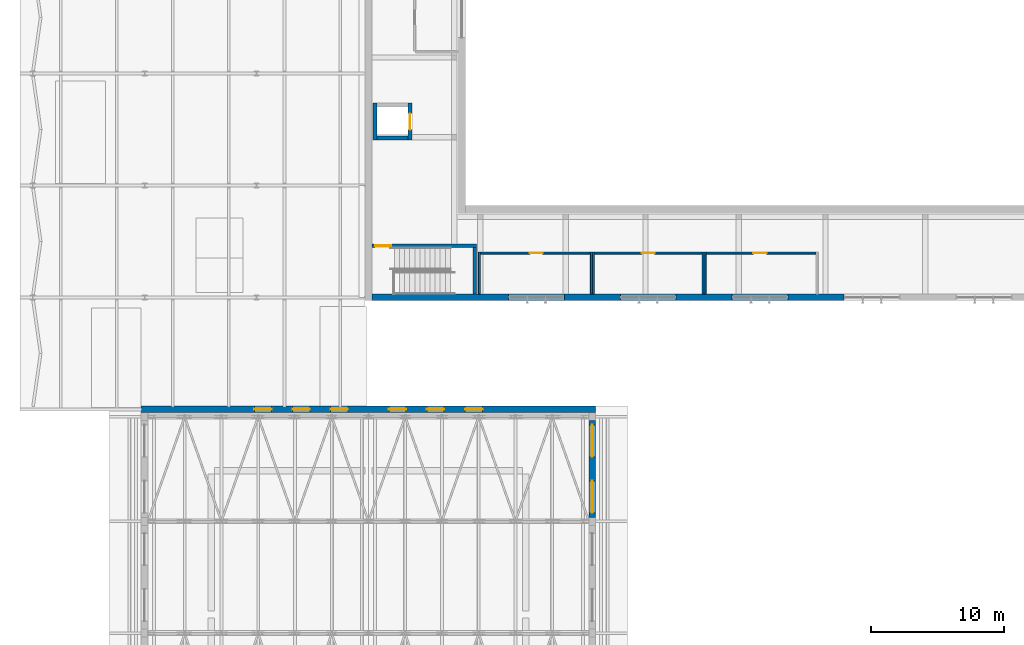
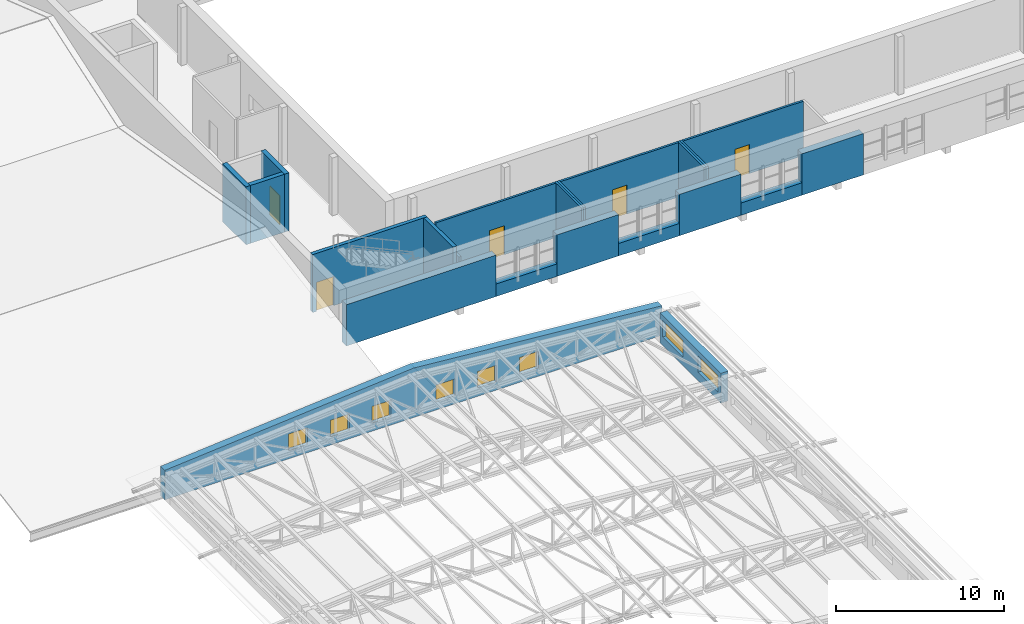
# One storey, part 39 of 60: 22 walls, 8 windows, 5 doors, 13 openings.
"""IFC4 building model written with IfcOpenShell, lengths in metres."""

from ifc_helpers import new_model, si_unit, direction, frame, frame_2d, origin, place, context, subcontext, project, spatial, polyline, rectangle, outline, extrude, material, layer, layer_set, type_object, element, fill, save


model = new_model("IFC4")

# Units and contexts
model_context = context("Model", 3, precision=1e-05, world=origin(), true_north=direction((0.0, 1.0)))
body_context = subcontext(model_context, "Body", "Model", "MODEL_VIEW")
ifc_project = project(units=[si_unit("LENGTHUNIT", "METRE"), si_unit("AREAUNIT", "SQUARE_METRE"), si_unit("VOLUMEUNIT", "CUBIC_METRE"), si_unit("PLANEANGLEUNIT", "RADIAN"), si_unit("MASSUNIT", "GRAM", prefix="KILO")], contexts=[model_context])

# Site, building, storey
site_placement = place(None, origin())
site = spatial("IfcSite", under=ifc_project, at=site_placement, CompositionType="ELEMENT")
building_placement = place(site_placement, origin())
building = spatial("IfcBuilding", under=site, at=building_placement, Name="Ljudholm Concert House", CompositionType="ELEMENT")
storey_placement = place(building_placement, frame((0.0, 0.0, 15.0)))
storey = spatial("IfcBuildingStorey", under=building, at=storey_placement, Name="L03", CompositionType="ELEMENT", Elevation=15.0)

# Wall, opening, door
ifc_material_1 = material(Name="Gypsum board on steel studs", Category="steel")
ifc_layer_1 = layer(ifc_material_1, 0.14990234375)
ifc_layer_set_1 = layer_set([ifc_layer_1], Name="Gypsum board on steel studs")
wall_type_1 = type_object("IfcWallType", Name="GYPSUM PARTITION 150", PredefinedType="PARTITIONING", material=ifc_layer_set_1)
wall_1_placement = place(storey_placement, frame((37.60009765625, 57.72509765625, 0.0), z_axis=(0.0, 0.0, 1.0), x_axis=(1.0, 0.0, 0.0)))
wall_1 = element("IfcWall", 1, at=wall_1_placement, inside=storey, type_object=wall_type_1, Name="Women's WC partition", PredefinedType="PARTITIONING", context=body_context, shape_type="SweptSolid", body=[
    extrude(rectangle(XDim=8.39990234375, YDim=0.14990234375, at=frame_2d((4.199951171875, 0.0))), origin(), (0.0, 0.0, 1.0), 3.949951171875),
])
opening_1_placement = place(wall_1_placement, frame((3.699951171875, 0.0, 0.0)))
opening_1 = element("IfcOpeningElement", 2, at=opening_1_placement, cuts=wall_1, Name="Opening D-H03-003", PredefinedType="OPENING", context=body_context, shape_type="SweptSolid", body=[
    extrude(rectangle(XDim=1.0, YDim=2.10009765625, at=frame_2d((0.5, 1.050048828125))), frame((0.0, 0.0849609375, 0.0), z_axis=(0.0, -1.0, 0.0), x_axis=(1.0, 0.0, 0.0)), (0.0, 0.0, 1.0), 0.169921875),
])
ifc_material_2 = material(Name="Hollow metal door in steel frame", Category="steel")
door_type_1 = type_object("IfcDoorType", Name="SWING DOOR 1000x2100", OperationType="SINGLE_SWING_LEFT", PredefinedType="DOOR", material=ifc_material_2)
door_1_placement = place(opening_1_placement, frame((1.0, 0.0, 0.0), z_axis=(0.0, 0.0, 1.0), x_axis=(-1.0, 0.0, 0.0)))
door_1 = element("IfcDoor", 3, at=door_1_placement, inside=storey, type_object=door_type_1, Name="Women's WC door", OperationType="SINGLE_SWING_RIGHT", OverallHeight=2.10009765625, OverallWidth=1.0, PredefinedType="DOOR", context=body_context, shape_type="SweptSolid", body=[
    extrude(rectangle(XDim=1.0, YDim=2.10009765625, at=frame_2d((0.5, 1.050048828125))), frame((0.0, 0.02490234375, 0.0), z_axis=(0.0, -1.0, 0.0), x_axis=(1.0, 0.0, 0.0)), (0.0, 0.0, 1.0), 0.050048828125),
])
fill(opening_1, door_1)

# Walls
wall_2_placement = place(storey_placement, frame((37.52490234375, 54.64990234375, 0.0), z_axis=(0.0, 0.0, 1.0), x_axis=(0.0, 1.0, 0.0)))
element("IfcWall", 4, at=wall_2_placement, inside=storey, type_object=wall_type_1, Name="Women's WC partition", PredefinedType="PARTITIONING", context=body_context, shape_type="SweptSolid", body=[
    extrude(rectangle(XDim=3.150146484375, YDim=0.14990234375, at=frame_2d((1.5751953125, 0.0))), origin(), (0.0, 0.0, 1.0), 3.35009765625),
])
wall_3_placement = place(storey_placement, frame((46.074951171875, 54.64990234375, 0.0), z_axis=(0.0, 0.0, 1.0), x_axis=(0.0, 1.0, 0.0)))
element("IfcWall", 5, at=wall_3_placement, inside=storey, type_object=wall_type_1, Name="Women's WC partition", PredefinedType="PARTITIONING", context=body_context, shape_type="SweptSolid", body=[
    extrude(rectangle(XDim=3.150146484375, YDim=0.14990234375, at=frame_2d((1.5751953125, 0.0))), origin(), (0.0, 0.0, 1.0), 3.949951171875),
])

# Wall, opening, door
wall_4_placement = place(storey_placement, frame((46.0, 57.72509765625, 0.0), z_axis=(0.0, 0.0, 1.0), x_axis=(1.0, 0.0, 0.0)))
wall_4 = element("IfcWall", 6, at=wall_4_placement, inside=storey, type_object=wall_type_1, Name="Men's WC partition", PredefinedType="PARTITIONING", context=body_context, shape_type="SweptSolid", body=[
    extrude(rectangle(XDim=8.39990234375, YDim=0.14990234375, at=frame_2d((4.199951171875, 0.0))), origin(), (0.0, 0.0, 1.0), 3.949951171875),
])
opening_2_placement = place(wall_4_placement, frame((3.699951171875, 0.0, 0.0)))
opening_2 = element("IfcOpeningElement", 7, at=opening_2_placement, cuts=wall_4, Name="Opening D-H03-004", PredefinedType="OPENING", context=body_context, shape_type="SweptSolid", body=[
    extrude(rectangle(XDim=1.0, YDim=2.10009765625, at=frame_2d((0.5, 1.050048828125))), frame((0.0, 0.0849609375, 0.0), z_axis=(0.0, -1.0, 0.0), x_axis=(1.0, 0.0, 0.0)), (0.0, 0.0, 1.0), 0.169921875),
])
door_2_placement = place(opening_2_placement, frame((1.0, 0.0, 0.0), z_axis=(0.0, 0.0, 1.0), x_axis=(-1.0, 0.0, 0.0)))
door_2 = element("IfcDoor", 8, at=door_2_placement, inside=storey, type_object=door_type_1, Name="Men's WC door", OperationType="SINGLE_SWING_LEFT", OverallHeight=2.10009765625, OverallWidth=1.0, PredefinedType="DOOR", context=body_context, shape_type="SweptSolid", body=[
    extrude(rectangle(XDim=1.0, YDim=2.10009765625, at=frame_2d((0.5, 1.050048828125))), frame((0.0, 0.02490234375, 0.0), z_axis=(0.0, -1.0, 0.0), x_axis=(1.0, 0.0, 0.0)), (0.0, 0.0, 1.0), 0.050048828125),
])
fill(opening_2, door_2)

# Walls
for number, where, z_axis, x_axis, name in (
    (9, (45.925048828125, 54.64990234375, 0.0), (0.0, 0.0, 1.0), (0.0, 1.0, 0.0), "Men's WC partition"),
    (10, (54.47509765625, 54.64990234375, 0.0), (0.0, 0.0, 1.0), (0.0, 1.0, 0.0), "Men's WC partition"),
):
    element("IfcWall", number, at=place(storey_placement, frame(where, z_axis=z_axis, x_axis=x_axis)), inside=storey, type_object=wall_type_1, Name=name, PredefinedType="PARTITIONING", context=body_context, shape_type="SweptSolid", body=[
        extrude(rectangle(XDim=3.150146484375, YDim=0.14990234375, at=frame_2d((1.5751953125, 0.0))), origin(), (0.0, 0.0, 1.0), 3.949951171875),
    ])

# Wall, opening, door
wall_5_placement = place(storey_placement, frame((54.39990234375, 57.72509765625, 0.0), z_axis=(0.0, 0.0, 1.0), x_axis=(1.0, 0.0, 0.0)))
wall_5 = element("IfcWall", 11, at=wall_5_placement, inside=storey, type_object=wall_type_1, Name="Accessible WC partition", PredefinedType="PARTITIONING", context=body_context, shape_type="SweptSolid", body=[
    extrude(rectangle(XDim=8.400146484375, YDim=0.14990234375, at=frame_2d((4.2001953125, 0.0))), origin(), (0.0, 0.0, 1.0), 3.949951171875),
])
opening_3_placement = place(wall_5_placement, frame((3.699951171875, 0.0, 0.0)))
opening_3 = element("IfcOpeningElement", 12, at=opening_3_placement, cuts=wall_5, Name="Opening D-H03-005", PredefinedType="OPENING", context=body_context, shape_type="SweptSolid", body=[
    extrude(rectangle(XDim=1.0, YDim=2.10009765625, at=frame_2d((0.5, 1.050048828125))), frame((0.0, 0.0849609375, 0.0), z_axis=(0.0, -1.0, 0.0), x_axis=(1.0, 0.0, 0.0)), (0.0, 0.0, 1.0), 0.169921875),
])
door_3_placement = place(opening_3_placement, frame((1.0, 0.0, 0.0), z_axis=(0.0, 0.0, 1.0), x_axis=(-1.0, 0.0, 0.0)))
door_3 = element("IfcDoor", 13, at=door_3_placement, inside=storey, type_object=door_type_1, Name="Accessible WC door", OperationType="SINGLE_SWING_RIGHT", OverallHeight=2.10009765625, OverallWidth=1.0, PredefinedType="DOOR", context=body_context, shape_type="SweptSolid", body=[
    extrude(rectangle(XDim=1.0, YDim=2.10009765625, at=frame_2d((0.5, 1.050048828125))), frame((0.0, 0.02490234375, 0.0), z_axis=(0.0, -1.0, 0.0), x_axis=(1.0, 0.0, 0.0)), (0.0, 0.0, 1.0), 0.050048828125),
])
fill(opening_3, door_3)

# Wall
wall_6_placement = place(storey_placement, frame((54.324951171875, 54.64990234375, 0.0), z_axis=(0.0, 0.0, 1.0), x_axis=(0.0, 1.0, 0.0)))
element("IfcWall", 14, at=wall_6_placement, inside=storey, type_object=wall_type_1, Name="Accessible WC partition", PredefinedType="PARTITIONING", context=body_context, shape_type="SweptSolid", body=[
    extrude(rectangle(XDim=3.150146484375, YDim=0.14990234375, at=frame_2d((1.5751953125, 0.0))), origin(), (0.0, 0.0, 1.0), 3.949951171875),
])

# Wall, opening, door
ifc_material_3 = material(Name="Concrete 6,500 psi", Category="concrete")
ifc_layer_2 = layer(ifc_material_3, 0.25)
ifc_layer_set_2 = layer_set([ifc_layer_2], Name="Concrete 6,500 psi")
wall_type_2 = type_object("IfcWallType", Name="RC WALL 250", PredefinedType="SOLIDWALL", material=ifc_layer_set_2)
wall_7_placement = place(storey_placement, frame((29.449951171875, 58.27490234375, 0.0), z_axis=(0.0, 0.0, 1.0), x_axis=(1.0, 0.0, 0.0)))
wall_7 = element("IfcWall", 15, at=wall_7_placement, inside=storey, type_object=wall_type_2, Name="Stair enclosure wall EH1", PredefinedType="SOLIDWALL", context=body_context, shape_type="SweptSolid", body=[
    extrude(rectangle(XDim=7.85009765625, YDim=0.25, at=frame_2d((3.925048828125, 0.0))), origin(), (0.0, 0.0, 1.0), 4.199951171875),
])
opening_4_placement = place(wall_7_placement, frame((0.25, 0.0, 0.0)))
opening_4 = element("IfcOpeningElement", 16, at=opening_4_placement, cuts=wall_7, Name="Opening D-H03-007", PredefinedType="OPENING", context=body_context, shape_type="SweptSolid", body=[
    extrude(rectangle(XDim=1.199951171875, YDim=2.10009765625, at=frame_2d((0.60009765625, 1.050048828125))), frame((0.0, 0.135009765625, 0.0), z_axis=(0.0, -1.0, 0.0), x_axis=(1.0, 0.0, 0.0)), (0.0, 0.0, 1.0), 0.27001953125),
])
ifc_material_4 = material(Name="Hollow metal door in steel frame", Category="steel")
door_type_2 = type_object("IfcDoorType", Name="SWING DOOR 1200x2100", OperationType="SINGLE_SWING_LEFT", PredefinedType="DOOR", material=ifc_material_4)
door_4_placement = place(opening_4_placement, frame((1.199951171875, 0.0, 0.0), z_axis=(0.0, 0.0, 1.0), x_axis=(-1.0, 0.0, 0.0)))
door_4 = element("IfcDoor", 17, at=door_4_placement, inside=storey, type_object=door_type_2, Name="Exit stair EH1 door", OperationType="SINGLE_SWING_RIGHT", OverallHeight=2.10009765625, OverallWidth=1.199951171875, PredefinedType="DOOR", context=body_context, shape_type="SweptSolid", body=[
    extrude(rectangle(XDim=1.199951171875, YDim=2.10009765625, at=frame_2d((0.60009765625, 1.050048828125))), frame((0.0, 0.02490234375, 0.0), z_axis=(0.0, -1.0, 0.0), x_axis=(1.0, 0.0, 0.0)), (0.0, 0.0, 1.0), 0.050048828125),
])
fill(opening_4, door_4)

# Walls
wall_8_placement = place(storey_placement, frame((37.175048828125, 54.64990234375, 0.0), z_axis=(0.0, 0.0, 1.0), x_axis=(0.0, 1.0, 0.0)))
element("IfcWall", 18, at=wall_8_placement, inside=storey, type_object=wall_type_2, Name="Stair enclosure wall EH1", PredefinedType="SOLIDWALL", context=body_context, shape_type="SweptSolid", body=[
    extrude(rectangle(XDim=3.5, YDim=0.25, at=frame_2d((1.75, 0.0))), origin(), (0.0, 0.0, 1.0), 4.199951171875),
])
ifc_material_5 = material(Name="Concrete 6,500 psi", Category="concrete")
ifc_layer_3 = layer(ifc_material_5, 0.300048828125)
ifc_layer_set_3 = layer_set([ifc_layer_3], Name="Concrete 6,500 psi")
wall_type_3 = type_object("IfcWallType", Name="RC WALL 300", PredefinedType="SOLIDWALL", material=ifc_layer_set_3)
wall_9_placement = place(storey_placement, frame((29.675048828125, 66.199951171875, 0.0), z_axis=(0.0, 0.0, 1.0), x_axis=(0.0, 1.0, 0.0)))
element("IfcWall", 19, at=wall_9_placement, inside=storey, type_object=wall_type_3, Name="Lift shaft wall", PredefinedType="SOLIDWALL", context=body_context, shape_type="SweptSolid", body=[
    extrude(rectangle(XDim=2.800048828125, YDim=0.300048828125, at=frame_2d((1.39990234375, 0.0))), origin(), (0.0, 0.0, 1.0), 4.199951171875),
])

# Wall, opening, door
wall_10_placement = place(storey_placement, frame((32.324951171875, 66.199951171875, 0.0), z_axis=(0.0, 0.0, 1.0), x_axis=(0.0, 1.0, 0.0)))
wall_10 = element("IfcWall", 20, at=wall_10_placement, inside=storey, type_object=wall_type_3, Name="Lift shaft wall", PredefinedType="SOLIDWALL", context=body_context, shape_type="SweptSolid", body=[
    extrude(rectangle(XDim=2.800048828125, YDim=0.300048828125, at=frame_2d((1.39990234375, 0.0))), origin(), (0.0, 0.0, 1.0), 4.199951171875),
])
opening_5_placement = place(wall_10_placement, frame((0.800048828125, 0.0, 0.0)))
opening_5 = element("IfcOpeningElement", 21, at=opening_5_placement, cuts=wall_10, Name="Opening LD-H03-001", PredefinedType="OPENING", context=body_context, shape_type="SweptSolid", body=[
    extrude(rectangle(XDim=1.199951171875, YDim=2.10009765625, at=frame_2d((0.60009765625, 1.050048828125))), frame((0.0, 0.159912109375, 0.0), z_axis=(0.0, -1.0, 0.0), x_axis=(1.0, 0.0, 0.0)), (0.0, 0.0, 1.0), 0.320068359375),
])
ifc_material_6 = material(Name="Stainless steel sliding landing door, fire-rated", Category="steel")
door_type_3 = type_object("IfcDoorType", Name="LIFT DOOR 1200x2100", OperationType="SLIDING_TO_LEFT", PredefinedType="DOOR", material=ifc_material_6)
door_5_placement = place(opening_5_placement, origin())
door_5 = element("IfcDoor", 22, at=door_5_placement, inside=storey, type_object=door_type_3, Name="Lift landing door", OperationType="SLIDING_TO_LEFT", OverallHeight=2.10009765625, OverallWidth=1.199951171875, PredefinedType="DOOR", context=body_context, shape_type="SweptSolid", body=[
    extrude(rectangle(XDim=1.199951171875, YDim=2.10009765625, at=frame_2d((0.60009765625, 1.050048828125))), frame((0.0, 0.02490234375, 0.0), z_axis=(0.0, -1.0, 0.0), x_axis=(1.0, 0.0, 0.0)), (0.0, 0.0, 1.0), 0.050048828125),
])
fill(opening_5, door_5)

# Walls
wall_11_placement = place(storey_placement, frame((29.824951171875, 66.35009765625, 0.0), z_axis=(0.0, 0.0, 1.0), x_axis=(1.0, 0.0, 0.0)))
element("IfcWall", 23, at=wall_11_placement, inside=storey, type_object=wall_type_3, Name="Lift shaft wall", PredefinedType="SOLIDWALL", context=body_context, shape_type="SweptSolid", body=[
    extrude(rectangle(XDim=2.35009765625, YDim=0.300048828125, at=frame_2d((1.175048828125, 0.0))), origin(), (0.0, 0.0, 1.0), 4.199951171875),
])
ifc_material_7 = material(Name="Concrete 6,500 psi", Category="concrete")
ifc_layer_4 = layer(ifc_material_7, 0.5)
ifc_layer_set_4 = layer_set([ifc_layer_4], Name="Concrete 6,500 psi")
wall_type_4 = type_object("IfcWallType", Name="RC WALL 500", PredefinedType="SOLIDWALL", material=ifc_layer_set_4)
wall_12_placement = place(storey_placement, frame((29.449951171875, 54.39990234375, 0.0), z_axis=(0.0, 0.0, 1.0), x_axis=(1.0, 0.0, 0.0)))
element("IfcWall", 24, at=wall_12_placement, inside=storey, type_object=wall_type_4, Name="Outer wall S", PredefinedType="SOLIDWALL", context=body_context, shape_type="SweptSolid", body=[
    extrude(rectangle(XDim=10.25, YDim=0.5, at=frame_2d((5.125, 0.0))), origin(), (0.0, 0.0, 1.0), 3.0),
])
wall_13_placement = place(storey_placement, frame((43.89990234375, 54.39990234375, 0.0), z_axis=(0.0, 0.0, 1.0), x_axis=(1.0, 0.0, 0.0)))
element("IfcWall", 25, at=wall_13_placement, inside=storey, type_object=wall_type_4, Name="Outer wall S", PredefinedType="SOLIDWALL", context=body_context, shape_type="SweptSolid", body=[
    extrude(rectangle(XDim=4.2001953125, YDim=0.5, at=frame_2d((2.10009765625, 0.0))), origin(), (0.0, 0.0, 1.0), 3.0),
])
for number, where, z_axis, x_axis, name in (
    (26, (52.300048828125, 54.39990234375, 0.0), (0.0, 0.0, 1.0), (1.0, 0.0, 0.0), "Outer wall S"),
    (27, (60.699951171875, 54.39990234375, 0.0), (0.0, 0.0, 1.0), (1.0, 0.0, 0.0), "Outer wall S"),
):
    element("IfcWall", number, at=place(storey_placement, frame(where, z_axis=z_axis, x_axis=x_axis)), inside=storey, type_object=wall_type_4, Name=name, PredefinedType="SOLIDWALL", context=body_context, shape_type="SweptSolid", body=[
        extrude(rectangle(XDim=4.199951171875, YDim=0.5, at=frame_2d((2.10009765625, 0.0))), origin(), (0.0, 0.0, 1.0), 3.0),
    ])
for number, where, z_axis, x_axis, name in (
    (28, (39.699951171875, 54.39990234375, 0.0), (0.0, 0.0, 1.0), (1.0, 0.0, 0.0), "Outer wall S"),
    (29, (48.10009765625, 54.39990234375, 0.0), (0.0, 0.0, 1.0), (1.0, 0.0, 0.0), "Outer wall S"),
    (30, (56.5, 54.39990234375, 0.0), (0.0, 0.0, 1.0), (1.0, 0.0, 0.0), "Outer wall S"),
):
    element("IfcWall", number, at=place(storey_placement, frame(where, z_axis=z_axis, x_axis=x_axis)), inside=storey, type_object=wall_type_4, Name=name, PredefinedType="SOLIDWALL", context=body_context, shape_type="SweptSolid", body=[
        extrude(rectangle(XDim=4.199951171875, YDim=0.5, at=frame_2d((2.10009765625, 0.0))), origin(), (0.0, 0.0, 1.0), 0.89990234375),
    ])

# Wall, openings, windows
wall_14_placement = place(storey_placement, frame((46.0, 37.89990234375, 0.0), z_axis=(0.0, 0.0, 1.0), x_axis=(0.0, 1.0, 0.0)))
wall_14 = element("IfcWall", 31, at=wall_14_placement, inside=storey, type_object=wall_type_4, Name="Outer wall E", PredefinedType="SOLIDWALL", context=body_context, shape_type="SweptSolid", body=[
    extrude(rectangle(XDim=7.25, YDim=0.5, at=frame_2d((3.625, 0.0))), origin(), (0.0, 0.0, 1.0), 2.1611328125),
])
opening_6_placement = place(wall_14_placement, frame((0.324951171875, 0.0, 0.60009765625)))
opening_6 = element("IfcOpeningElement", 32, at=opening_6_placement, cuts=wall_14, Name="Opening X-C03-019", PredefinedType="OPENING", context=body_context, shape_type="SweptSolid", body=[
    extrude(rectangle(XDim=2.39990234375, YDim=1.199951171875, at=frame_2d((1.199951171875, 0.60009765625))), frame((0.0, 0.260009765625, 0.0), z_axis=(0.0, -1.0, 0.0), x_axis=(1.0, 0.0, 0.0)), (0.0, 0.0, 1.0), 0.52001953125),
])
opening_7_placement = place(wall_14_placement, frame((4.52490234375, 0.0, 0.60009765625)))
opening_7 = element("IfcOpeningElement", 33, at=opening_7_placement, cuts=wall_14, Name="Opening X-C03-020", PredefinedType="OPENING", context=body_context, shape_type="SweptSolid", body=[
    extrude(rectangle(XDim=2.39990234375, YDim=1.199951171875, at=frame_2d((1.199951171875, 0.60009765625))), frame((0.0, 0.260009765625, 0.0), z_axis=(0.0, -1.0, 0.0), x_axis=(1.0, 0.0, 0.0)), (0.0, 0.0, 1.0), 0.52001953125),
])
ifc_material_8 = material(Name="Aluminium frame, impact glazing", Category="aluminium")
window_type_1 = type_object("IfcWindowType", Name="FIXED WINDOW 2400x1200", PartitioningType="SINGLE_PANEL", PredefinedType="WINDOW", material=ifc_material_8)
window_1_placement = place(opening_6_placement, origin())
window_1 = element("IfcWindow", 34, at=window_1_placement, inside=storey, type_object=window_type_1, Name="Clerestory window", OverallHeight=1.199951171875, OverallWidth=2.39990234375, PartitioningType="SINGLE_PANEL", PredefinedType="WINDOW", context=body_context, shape_type="SweptSolid", body=[
    extrude(rectangle(XDim=2.39990234375, YDim=1.199951171875, at=frame_2d((1.199951171875, 0.60009765625))), frame((0.0, 0.030029296875, 0.0), z_axis=(0.0, -1.0, 0.0), x_axis=(1.0, 0.0, 0.0)), (0.0, 0.0, 1.0), 0.06005859375),
])
fill(opening_6, window_1)
window_2_placement = place(opening_7_placement, origin())
window_2 = element("IfcWindow", 35, at=window_2_placement, inside=storey, type_object=window_type_1, Name="Clerestory window", OverallHeight=1.199951171875, OverallWidth=2.39990234375, PartitioningType="SINGLE_PANEL", PredefinedType="WINDOW", context=body_context, shape_type="SweptSolid", body=[
    extrude(rectangle(XDim=2.39990234375, YDim=1.199951171875, at=frame_2d((1.199951171875, 0.60009765625))), frame((0.0, 0.030029296875, 0.0), z_axis=(0.0, -1.0, 0.0), x_axis=(1.0, 0.0, 0.0)), (0.0, 0.0, 1.0), 0.06005859375),
])
fill(opening_7, window_2)

wall_15_placement = place(storey_placement, frame((12.14990234375, 46.0, 0.0), z_axis=(0.0, 0.0, 1.0), x_axis=(1.0, 0.0, 0.0)))
wall_15 = element("IfcWall", 36, at=wall_15_placement, inside=storey, type_object=wall_type_4, Name="Gable wall N", PredefinedType="SOLIDWALL", context=body_context, shape_type="SweptSolid", body=[
    extrude(outline(polyline([(0.0, 0.0), (34.10009765625, 0.0), (34.10009765625, 2.14013671875), (17.050048828125, 3.58251953125), (0.0, 2.14013671875), (0.0, 0.0)])), frame((0.0, 0.25, 0.0), z_axis=(0.0, -1.0, 0.0), x_axis=(1.0, 0.0, 0.0)), (0.0, 0.0, 1.0), 0.5),
])
opening_8_placement = place(wall_15_placement, frame((8.485107421875, 0.0, 0.60009765625)))
opening_8 = element("IfcOpeningElement", 37, at=opening_8_placement, cuts=wall_15, Name="Opening X-C03-027", PredefinedType="OPENING", context=body_context, shape_type="SweptSolid", body=[
    extrude(rectangle(XDim=1.300048828125, YDim=1.199951171875, at=frame_2d((0.64990234375, 0.60009765625))), frame((0.0, 0.260009765625, 0.0), z_axis=(0.0, -1.0, 0.0), x_axis=(1.0, 0.0, 0.0)), (0.0, 0.0, 1.0), 0.52001953125),
])
opening_9_placement = place(wall_15_placement, frame((11.363037109375, 0.0, 0.60009765625)))
opening_9 = element("IfcOpeningElement", 38, at=opening_9_placement, cuts=wall_15, Name="Opening X-C03-028", PredefinedType="OPENING", context=body_context, shape_type="SweptSolid", body=[
    extrude(rectangle(XDim=1.300048828125, YDim=1.199951171875, at=frame_2d((0.64990234375, 0.60009765625))), frame((0.0, 0.260009765625, 0.0), z_axis=(0.0, -1.0, 0.0), x_axis=(1.0, 0.0, 0.0)), (0.0, 0.0, 1.0), 0.52001953125),
])
opening_10_placement = place(wall_15_placement, frame((14.216064453125, 0.0, 0.60009765625)))
opening_10 = element("IfcOpeningElement", 39, at=opening_10_placement, cuts=wall_15, Name="Opening X-C03-029", PredefinedType="OPENING", context=body_context, shape_type="SweptSolid", body=[
    extrude(rectangle(XDim=1.300048828125, YDim=1.199951171875, at=frame_2d((0.64990234375, 0.60009765625))), frame((0.0, 0.260009765625, 0.0), z_axis=(0.0, -1.0, 0.0), x_axis=(1.0, 0.0, 0.0)), (0.0, 0.0, 1.0), 0.52001953125),
])
opening_11_placement = place(wall_15_placement, frame((18.583984375, 0.0, 0.60009765625)))
opening_11 = element("IfcOpeningElement", 40, at=opening_11_placement, cuts=wall_15, Name="Opening X-C03-030", PredefinedType="OPENING", context=body_context, shape_type="SweptSolid", body=[
    extrude(rectangle(XDim=1.300048828125, YDim=1.199951171875, at=frame_2d((0.64990234375, 0.60009765625))), frame((0.0, 0.260009765625, 0.0), z_axis=(0.0, -1.0, 0.0), x_axis=(1.0, 0.0, 0.0)), (0.0, 0.0, 1.0), 0.52001953125),
])
opening_12_placement = place(wall_15_placement, frame((21.43701171875, 0.0, 0.60009765625)))
opening_12 = element("IfcOpeningElement", 41, at=opening_12_placement, cuts=wall_15, Name="Opening X-C03-031", PredefinedType="OPENING", context=body_context, shape_type="SweptSolid", body=[
    extrude(rectangle(XDim=1.300048828125, YDim=1.199951171875, at=frame_2d((0.64990234375, 0.60009765625))), frame((0.0, 0.260009765625, 0.0), z_axis=(0.0, -1.0, 0.0), x_axis=(1.0, 0.0, 0.0)), (0.0, 0.0, 1.0), 0.52001953125),
])
opening_13_placement = place(wall_15_placement, frame((24.31494140625, 0.0, 0.60009765625)))
opening_13 = element("IfcOpeningElement", 42, at=opening_13_placement, cuts=wall_15, Name="Opening X-C03-032", PredefinedType="OPENING", context=body_context, shape_type="SweptSolid", body=[
    extrude(rectangle(XDim=1.300048828125, YDim=1.199951171875, at=frame_2d((0.64990234375, 0.60009765625))), frame((0.0, 0.260009765625, 0.0), z_axis=(0.0, -1.0, 0.0), x_axis=(1.0, 0.0, 0.0)), (0.0, 0.0, 1.0), 0.52001953125),
])
ifc_material_9 = material(Name="Aluminium frame, impact glazing", Category="aluminium")
window_type_2 = type_object("IfcWindowType", Name="FIXED WINDOW 1300x1200", PartitioningType="SINGLE_PANEL", PredefinedType="WINDOW", material=ifc_material_9)
window_3_placement = place(opening_8_placement, origin())
window_3 = element("IfcWindow", 43, at=window_3_placement, inside=storey, type_object=window_type_2, Name="Clerestory window", OverallHeight=1.199951171875, OverallWidth=1.300048828125, PartitioningType="SINGLE_PANEL", PredefinedType="WINDOW", context=body_context, shape_type="SweptSolid", body=[
    extrude(rectangle(XDim=1.300048828125, YDim=1.199951171875, at=frame_2d((0.64990234375, 0.60009765625))), frame((0.0, 0.030029296875, 0.0), z_axis=(0.0, -1.0, 0.0), x_axis=(1.0, 0.0, 0.0)), (0.0, 0.0, 1.0), 0.06005859375),
])
fill(opening_8, window_3)
window_4_placement = place(opening_9_placement, origin())
window_4 = element("IfcWindow", 44, at=window_4_placement, inside=storey, type_object=window_type_2, Name="Clerestory window", OverallHeight=1.199951171875, OverallWidth=1.300048828125, PartitioningType="SINGLE_PANEL", PredefinedType="WINDOW", context=body_context, shape_type="SweptSolid", body=[
    extrude(rectangle(XDim=1.300048828125, YDim=1.199951171875, at=frame_2d((0.64990234375, 0.60009765625))), frame((0.0, 0.030029296875, 0.0), z_axis=(0.0, -1.0, 0.0), x_axis=(1.0, 0.0, 0.0)), (0.0, 0.0, 1.0), 0.06005859375),
])
fill(opening_9, window_4)
window_5_placement = place(opening_10_placement, origin())
window_5 = element("IfcWindow", 45, at=window_5_placement, inside=storey, type_object=window_type_2, Name="Clerestory window", OverallHeight=1.199951171875, OverallWidth=1.300048828125, PartitioningType="SINGLE_PANEL", PredefinedType="WINDOW", context=body_context, shape_type="SweptSolid", body=[
    extrude(rectangle(XDim=1.300048828125, YDim=1.199951171875, at=frame_2d((0.64990234375, 0.60009765625))), frame((0.0, 0.030029296875, 0.0), z_axis=(0.0, -1.0, 0.0), x_axis=(1.0, 0.0, 0.0)), (0.0, 0.0, 1.0), 0.06005859375),
])
fill(opening_10, window_5)
window_6_placement = place(opening_11_placement, origin())
window_6 = element("IfcWindow", 46, at=window_6_placement, inside=storey, type_object=window_type_2, Name="Clerestory window", OverallHeight=1.199951171875, OverallWidth=1.300048828125, PartitioningType="SINGLE_PANEL", PredefinedType="WINDOW", context=body_context, shape_type="SweptSolid", body=[
    extrude(rectangle(XDim=1.300048828125, YDim=1.199951171875, at=frame_2d((0.64990234375, 0.60009765625))), frame((0.0, 0.030029296875, 0.0), z_axis=(0.0, -1.0, 0.0), x_axis=(1.0, 0.0, 0.0)), (0.0, 0.0, 1.0), 0.06005859375),
])
fill(opening_11, window_6)
window_7_placement = place(opening_12_placement, origin())
window_7 = element("IfcWindow", 47, at=window_7_placement, inside=storey, type_object=window_type_2, Name="Clerestory window", OverallHeight=1.199951171875, OverallWidth=1.300048828125, PartitioningType="SINGLE_PANEL", PredefinedType="WINDOW", context=body_context, shape_type="SweptSolid", body=[
    extrude(rectangle(XDim=1.300048828125, YDim=1.199951171875, at=frame_2d((0.64990234375, 0.60009765625))), frame((0.0, 0.030029296875, 0.0), z_axis=(0.0, -1.0, 0.0), x_axis=(1.0, 0.0, 0.0)), (0.0, 0.0, 1.0), 0.06005859375),
])
fill(opening_12, window_7)
window_8_placement = place(opening_13_placement, origin())
window_8 = element("IfcWindow", 48, at=window_8_placement, inside=storey, type_object=window_type_2, Name="Clerestory window", OverallHeight=1.199951171875, OverallWidth=1.300048828125, PartitioningType="SINGLE_PANEL", PredefinedType="WINDOW", context=body_context, shape_type="SweptSolid", body=[
    extrude(rectangle(XDim=1.300048828125, YDim=1.199951171875, at=frame_2d((0.64990234375, 0.60009765625))), frame((0.0, 0.030029296875, 0.0), z_axis=(0.0, -1.0, 0.0), x_axis=(1.0, 0.0, 0.0)), (0.0, 0.0, 1.0), 0.06005859375),
])
fill(opening_13, window_8)

save(model, "model.ifc")
